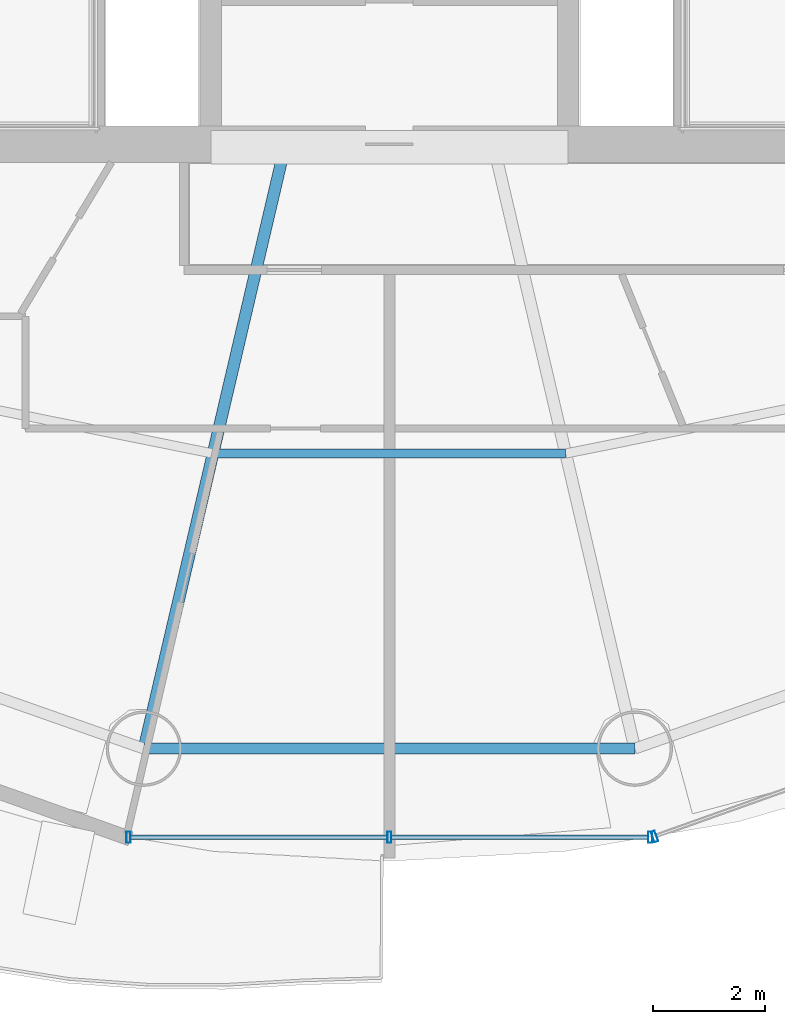
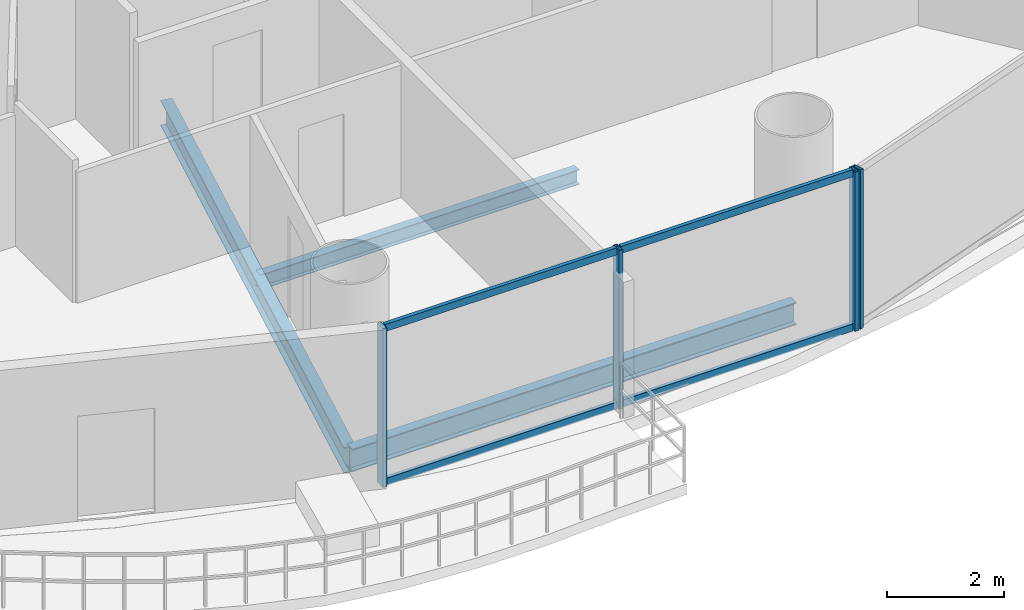
# One storey, part 5 of 27: 8 members, 3 beams, 2 elements without a shape of their own.
"""IFC4 building model written with IfcOpenShell, lengths in metres."""

from ifc_helpers import new_model, si_unit, direction, frame, origin, origin_2d, place, context, subcontext, project, spatial, hollow_rectangle, i_section, extrude, source, transform, mapped, material, material_profile, profile_set, type_object, element, aggregate, save


model = new_model("IFC4")

# Units and contexts
model_context = context("Model", 3, precision=1e-05, world=origin(), true_north=direction((-0.2419218956, 0.970295726276)))
body_context = subcontext(model_context, "Body", "Model", "MODEL_VIEW")
ifc_project = project(units=[si_unit("LENGTHUNIT", "METRE"), si_unit("AREAUNIT", "SQUARE_METRE"), si_unit("VOLUMEUNIT", "CUBIC_METRE"), si_unit("PLANEANGLEUNIT", "RADIAN"), si_unit("MASSUNIT", "GRAM", prefix="KILO")], contexts=[model_context])

# Site, building, storey
site_placement = place(None, origin())
site = spatial("IfcSite", under=ifc_project, at=site_placement, CompositionType="ELEMENT")
building_placement = place(site_placement, origin())
building = spatial("IfcBuilding", under=site, at=building_placement, Name="Cobrevalo Terracotta Tower", CompositionType="ELEMENT")
storey_placement = place(building_placement, frame((0.0, 0.0, 164.199951171875)))
storey = spatial("IfcBuildingStorey", under=building, at=storey_placement, Name="L43", CompositionType="ELEMENT", Elevation=164.199951171875)

# Beams
ifc_material_1 = material(Name="Steel S355", Category="steel")
ifc_material_profile_1 = material_profile(ifc_material_1, i_section(OverallWidth=0.2109375, OverallDepth=0.5390625, WebThickness=0.01171875, FlangeThickness=0.018798828125, at=origin_2d()), Name="W 530x109")
ifc_profile_set_1 = profile_set([ifc_material_profile_1], Name="Steel S355")
beam_type_1 = type_object("IfcBeamType", Name="Structural Beam W 530x109 (Steel S355)", PredefinedType="BEAM", material=ifc_profile_set_1)
beam_1_placement = place(storey_placement, frame((33.600830078125, 8.01806640625, -0.53955078125), z_axis=(0.228045854186, 0.973650393308, 0.0), x_axis=(-0.973650393308, 0.228045854186, 0.0)))
element("IfcBeam", 1, at=beam_1_placement, inside=storey, type_object=beam_type_1, Name="L43 radial floor girder 12", PredefinedType="BEAM", context=body_context, shape_type="SweptSolid", body=[
    extrude(i_section(OverallWidth=0.2109375, OverallDepth=0.5390625, WebThickness=0.01171875, FlangeThickness=0.018798828125, at=origin_2d()), origin(), (0.0, 0.0, 1.0), 10.863037109375),
])
ifc_material_profile_2 = material_profile(ifc_material_1, i_section(OverallWidth=0.1650390625, OverallDepth=0.31005859375, WebThickness=0.005859375, FlangeThickness=0.009765625, at=origin_2d()), Name="W 310x38.7")
ifc_profile_set_2 = profile_set([ifc_material_profile_2], Name="Steel S355")
beam_type_2 = type_object("IfcBeamType", Name="Structural Joist W 310x38.7 (Steel S355)", PredefinedType="JOIST", material=ifc_profile_set_2)
beam_2_placement = place(storey_placement, frame((34.83935546875, 13.306396484375, -0.425048828125), z_axis=(1.0, 0.0, 0.0), x_axis=(0.0, 1.0, 0.0)))
element("IfcBeam", 2, at=beam_2_placement, inside=storey, type_object=beam_type_2, Name="L43 circumferential secondary floor joist 12", PredefinedType="JOIST", context=body_context, shape_type="SweptSolid", body=[
    extrude(i_section(OverallWidth=0.1650390625, OverallDepth=0.31005859375, WebThickness=0.005859375, FlangeThickness=0.009765625, at=origin_2d()), origin(), (0.0, 0.0, 1.0), 6.3212890625),
])
ifc_material_profile_3 = material_profile(ifc_material_1, i_section(OverallWidth=0.194091796875, OverallDepth=0.468994140625, WebThickness=0.011474609375, FlangeThickness=0.0205078125, at=origin_2d()), Name="W 460x106")
ifc_profile_set_3 = profile_set([ifc_material_profile_3], Name="Steel S355")
beam_type_3 = type_object("IfcBeamType", Name="Structural Spandrel W 460x106 (Steel S355)", PredefinedType="SPANDREL", material=ifc_profile_set_3)
beam_3_placement = place(storey_placement, frame((33.600830078125, 8.01806640625, -0.50439453125), z_axis=(1.0, 0.0, 0.0), x_axis=(0.0, 1.0, 0.0)))
element("IfcBeam", 3, at=beam_3_placement, inside=storey, type_object=beam_type_3, Name="L43 perimeter ring spandrel 12", PredefinedType="SPANDREL", context=body_context, shape_type="SweptSolid", body=[
    extrude(i_section(OverallWidth=0.194091796875, OverallDepth=0.468994140625, WebThickness=0.011474609375, FlangeThickness=0.0205078125, at=origin_2d()), origin(), (0.0, 0.0, 1.0), 8.79833984375),
])

# Curtain wall, members
ifc_material_2 = material(Name="Anodized aluminium", Category="aluminium")
curtain_wall_type = type_object("IfcCurtainWallType", Name="Mid-tower high-wind unitised curtain wall CW-U2", PredefinedType="NOTDEFINED", material=ifc_material_2)
curtain_wall_1_placement = place(storey_placement, origin())
curtain_wall_1 = element("IfcCurtainWall", 4, at=curtain_wall_1_placement, inside=storey, type_object=curtain_wall_type, Name="L43 curtain wall CW-L43-S12", PredefinedType="NOTDEFINED")
ifc_material_profile_4 = material_profile(ifc_material_2, hollow_rectangle(XDim=0.074951171875, YDim=0.199951171875, WallThickness=0.0048828125, at=origin_2d()), Name="CWM 75x200")
ifc_profile_set_4 = profile_set([ifc_material_profile_4], Name="Anodized aluminium")
member_type_1 = type_object("IfcMemberType", Name="Lower/mid tower unitised mullion 75x200", PredefinedType="MULLION", material=ifc_profile_set_4)
shared_shape_1 = source(origin(), body_context, "Body", "SweptSolid", [
    extrude(hollow_rectangle(XDim=0.074951171875, YDim=0.199951171875, WallThickness=0.0048828125, at=origin_2d()), origin(), (0.0, 0.0, 1.0), 3.330078125),
])
member_1_placement = place(storey_placement, frame((33.32470703125, 6.42919921875, 0.0), z_axis=(0.0, 0.0, 1.0), x_axis=(1.0, 0.0, 0.0)))
member_1 = element("IfcMember", 5, at=member_1_placement, type_object=member_type_1, Name="CW-L43-S12 vertical mullion 01", PredefinedType="MULLION", context=body_context, shape_type="MappedRepresentation", body=[
    mapped(shared_shape_1, transform((0.0, 0.0, 0.0), scale=1.0)),
])
member_2_placement = place(storey_placement, frame((38.0, 6.42919921875, 0.0), z_axis=(0.0, 0.0, 1.0), x_axis=(1.0, 0.0, 0.0)))
member_2 = element("IfcMember", 6, at=member_2_placement, type_object=member_type_1, Name="CW-L43-S12 vertical mullion 02", PredefinedType="MULLION", context=body_context, shape_type="MappedRepresentation", body=[
    mapped(shared_shape_1, transform((0.0, 0.0, 0.0), scale=1.0)),
])
member_3_placement = place(storey_placement, frame((42.67529296875, 6.42919921875, 0.0), z_axis=(0.0, 0.0, 1.0), x_axis=(1.0, 0.0, 0.0)))
member_3 = element("IfcMember", 7, at=member_3_placement, type_object=member_type_1, Name="CW-L43-S12 vertical mullion 03", PredefinedType="MULLION", context=body_context, shape_type="MappedRepresentation", body=[
    mapped(shared_shape_1, transform((0.0, 0.0, 0.0), scale=1.0)),
])

# Curtain wall, member
curtain_wall_2_placement = place(storey_placement, origin())
curtain_wall_2 = element("IfcCurtainWall", 8, at=curtain_wall_2_placement, inside=storey, type_object=curtain_wall_type, Name="L43 curtain wall CW-L43-S13", PredefinedType="NOTDEFINED")
member_4_placement = place(storey_placement, frame((42.7529296875, 6.4423828125, 0.0), z_axis=(0.0, 0.0, 1.0), x_axis=(0.942098428897, 0.335336473217, 0.0)))
member_4 = element("IfcMember", 9, at=member_4_placement, type_object=member_type_1, Name="CW-L43-S13 vertical mullion 01", PredefinedType="MULLION", context=body_context, shape_type="MappedRepresentation", body=[
    mapped(shared_shape_1, transform((0.0, 0.0, 0.0), scale=1.0)),
])
aggregate(curtain_wall_2, [member_4])

# Member
ifc_material_profile_5 = material_profile(ifc_material_2, hollow_rectangle(XDim=0.074951171875, YDim=0.14990234375, WallThickness=0.00439453125, at=origin_2d()), Name="CWT 75x150")
ifc_profile_set_5 = profile_set([ifc_material_profile_5], Name="Anodized aluminium")
member_type_2 = type_object("IfcMemberType", Name="Tower unitised aluminium transom 75x150", PredefinedType="USERDEFINED", material=ifc_profile_set_5)
shared_shape_2 = source(origin(), body_context, "Body", "SweptSolid", [
    extrude(hollow_rectangle(XDim=0.074951171875, YDim=0.14990234375, WallThickness=0.00439453125, at=origin_2d()), origin(), (0.0, 0.0, 1.0), 4.59521484375),
])
member_5_placement = place(storey_placement, frame((33.36474609375, 6.42919921875, 0.050048828125), z_axis=(1.0, 0.0, 0.0), x_axis=(0.0, 1.0, 0.0)))
member_5 = element("IfcMember", 10, at=member_5_placement, type_object=member_type_2, Name="CW-L43-S12 transom B01-T1", ObjectType="TRANSOM", PredefinedType="USERDEFINED", context=body_context, shape_type="MappedRepresentation", body=[
    mapped(shared_shape_2, transform((0.0, 0.0, 0.0), scale=1.0)),
])

member_6_placement = place(storey_placement, frame((33.36474609375, 6.42919921875, 3.280029296875), z_axis=(1.0, 0.0, 0.0), x_axis=(0.0, 1.0, 0.0)))
member_6 = element("IfcMember", 11, at=member_6_placement, type_object=member_type_2, Name="CW-L43-S12 transom B01-T2", ObjectType="TRANSOM", PredefinedType="USERDEFINED", context=body_context, shape_type="MappedRepresentation", body=[
    mapped(shared_shape_2, transform((0.0, 0.0, 0.0), scale=1.0)),
])

member_7_placement = place(storey_placement, frame((38.0400390625, 6.42919921875, 0.050048828125), z_axis=(1.0, 0.0, 0.0), x_axis=(0.0, 1.0, 0.0)))
member_7 = element("IfcMember", 12, at=member_7_placement, type_object=member_type_2, Name="CW-L43-S12 transom B02-T1", ObjectType="TRANSOM", PredefinedType="USERDEFINED", context=body_context, shape_type="MappedRepresentation", body=[
    mapped(shared_shape_2, transform((0.0, 0.0, 0.0), scale=1.0)),
])

member_8_placement = place(storey_placement, frame((38.0400390625, 6.42919921875, 3.280029296875), z_axis=(1.0, 0.0, 0.0), x_axis=(0.0, 1.0, 0.0)))
member_8 = element("IfcMember", 13, at=member_8_placement, type_object=member_type_2, Name="CW-L43-S12 transom B02-T2", ObjectType="TRANSOM", PredefinedType="USERDEFINED", context=body_context, shape_type="MappedRepresentation", body=[
    mapped(shared_shape_2, transform((0.0, 0.0, 0.0), scale=1.0)),
])

aggregate(curtain_wall_1, [member_1, member_2, member_3, member_5, member_6, member_7, member_8])

save(model, "model.ifc")
